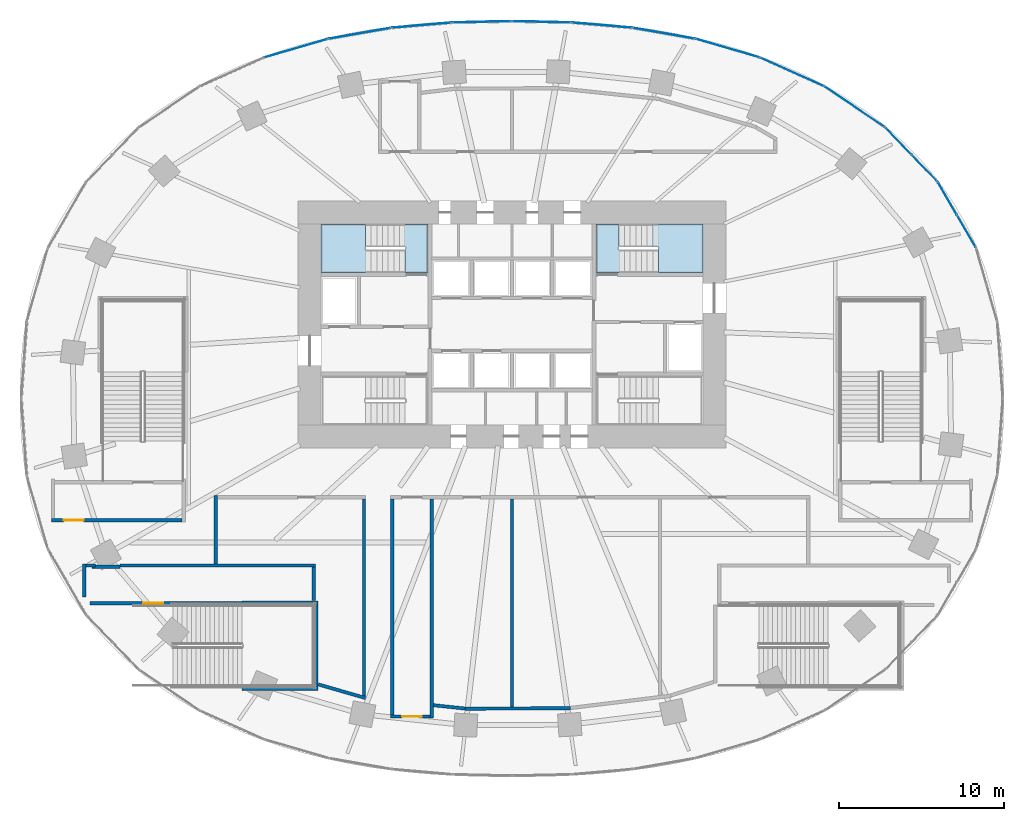
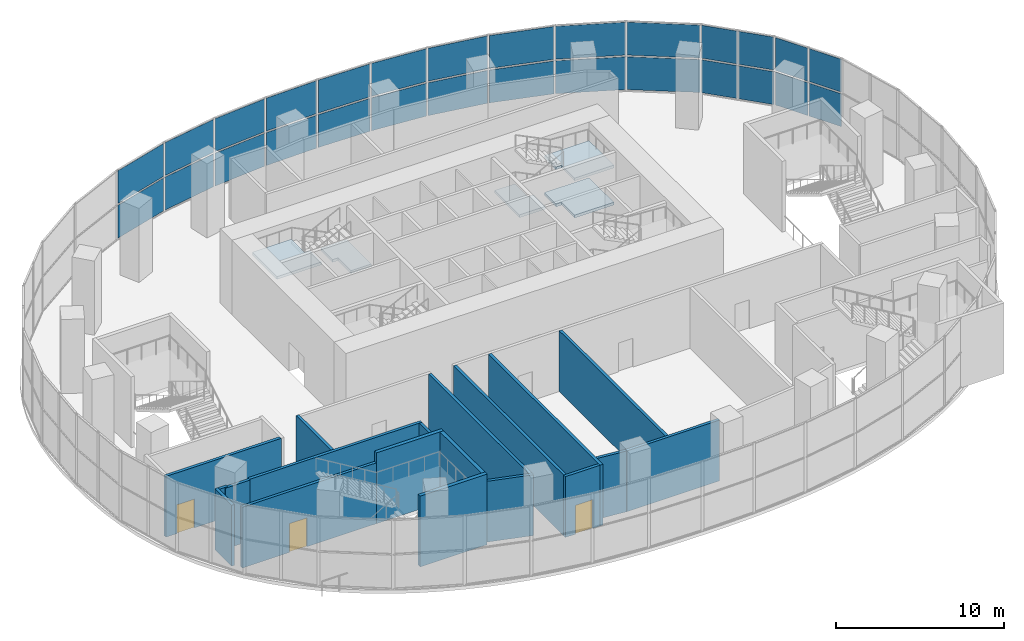
# One storey, part 11 of 20: 28 plates, 19 walls, 5 slabs, 3 doors, 3 openings, 14 elements without a shape of their own.
"""IFC4 building model written with IfcOpenShell, lengths in metres."""

import ifcopenshell
import ifcopenshell.guid

model = None  # the IFC model being written
_history = None  # IfcOwnerHistory: only IFC2X3 demands one
_inside = {}  # id of a spatial element -> (the spatial element, [elements in it])
_under = {}  # id of a project, library or spatial element -> (it, [spatial elements below it])
_declared = {}  # id of a project -> (the project, [libraries it declares])
_typed = {}  # id of a type object -> (the type object, [elements of that type])
_made_of = {}  # id of a material, layer set ... -> (it, [elements and type objects made of it])


def new_model(schema):
    """Start an empty IFC model of exactly this schema.

    Asked for "IFC4X3", IfcOpenShell would pick the latest addendum, in which some entities
    have other attributes; the version numbers below select the first issue.
    IFC2X3 requires an IfcOwnerHistory on every rooted entity: one is made here for all.
    """
    global model, _history
    if schema == "IFC4X3":
        model = ifcopenshell.file(schema_version=(4, 3, 0, 0))
    else:
        model = ifcopenshell.file(schema=schema)
    _inside.clear()
    _under.clear()
    _declared.clear()
    _typed.clear()
    _made_of.clear()
    _history = None
    if model.schema == "IFC2X3":
        org = make("IfcOrganization", Name="unknown")
        user = make(
            "IfcPersonAndOrganization",
            ThePerson=make("IfcPerson", FamilyName="unknown"),
            TheOrganization=org,
        )
        app = make(
            "IfcApplication",
            ApplicationDeveloper=org,
            Version="unknown",
            ApplicationFullName="unknown",
            ApplicationIdentifier="unknown",
        )
        _history = make(
            "IfcOwnerHistory",
            OwningUser=user,
            OwningApplication=app,
            ChangeAction="ADDED",
            CreationDate=0,
        )
    return model


def make(cls, **values):
    """One entity of the class cls with the attributes given. An attribute that is None is left unset."""
    return model.create_entity(
        cls, **{name: value for name, value in values.items() if value is not None}
    )


def rooted(cls, **values):
    """An entity with a GlobalId (a new one), such as an element, a storey or a relation."""
    return make(cls, GlobalId=ifcopenshell.guid.new(), OwnerHistory=_history, **values)


def si_unit(unit_type, name, prefix=None):
    """IfcSIUnit, for example si_unit("LENGTHUNIT", "METRE", prefix="MILLI")."""
    return make("IfcSIUnit", UnitType=unit_type, Prefix=prefix, Name=name)


def assignment(units):
    """IfcUnitAssignment: the units of a project."""
    return None if units is None else make("IfcUnitAssignment", Units=units)


def point(xyz):
    """IfcCartesianPoint."""
    return None if xyz is None else make("IfcCartesianPoint", Coordinates=xyz)


def direction(xyz):
    """IfcDirection."""
    return None if xyz is None else make("IfcDirection", DirectionRatios=xyz)


def frame(location, z_axis=None, x_axis=None):
    """IfcAxis2Placement3D, a coordinate frame: its origin and axes. An axis left out is left unset."""
    return make(
        "IfcAxis2Placement3D",
        Location=point(location),
        Axis=direction(z_axis),
        RefDirection=direction(x_axis),
    )


def frame_2d(location, x_axis=None):
    """IfcAxis2Placement2D, a coordinate frame in the plane: its origin and x axis."""
    return make(
        "IfcAxis2Placement2D", Location=point(location), RefDirection=direction(x_axis)
    )


def origin():
    """The frame at (0, 0, 0) with its axes left unset."""
    return frame((0.0, 0.0, 0.0))


def origin_2d():
    """The frame at (0, 0) in the plane with its x axis left unset."""
    return frame_2d((0.0, 0.0))


def place(relative_to, where):
    """IfcLocalPlacement: puts the frame where relative to a parent placement (None: the world)."""
    return make(
        "IfcLocalPlacement", PlacementRelTo=relative_to, RelativePlacement=where
    )


def context(
    kind, dimensions, precision=None, world=None, true_north=None, identifier=None
):
    """IfcGeometricRepresentationContext, for example the 3D "Model" context."""
    return make(
        "IfcGeometricRepresentationContext",
        ContextIdentifier=identifier,
        ContextType=kind,
        CoordinateSpaceDimension=dimensions,
        Precision=precision,
        WorldCoordinateSystem=world,
        TrueNorth=true_north,
    )


def subcontext(parent, identifier, kind, view, scale=None):
    """IfcGeometricRepresentationSubContext, for example "Body" below "Model"."""
    return make(
        "IfcGeometricRepresentationSubContext",
        ContextIdentifier=identifier,
        ContextType=kind,
        ParentContext=parent,
        TargetScale=scale,
        TargetView=view,
    )


def project(units=None, contexts=None):
    """IfcProject with its units and contexts."""
    return rooted(
        "IfcProject",
        Name="project",
        RepresentationContexts=contexts,
        UnitsInContext=assignment(units),
    )


def spatial(cls, under=None, at=None, **own):
    """A site, building, storey or space (cls), placed at a placement, below another one or the project."""
    s = rooted(cls, ObjectPlacement=at, **own)
    if under is not None:
        _under.setdefault(under.id(), (under, []))[1].append(s)
    return s


def polyline(points):
    """IfcPolyline through the points."""
    return make("IfcPolyline", Points=[point(p) for p in points])


def profile(cls, at=None, kind="AREA", **sizes):
    """A parametric profile (cls). Its sizes go by their IFC names, for example OverallWidth=200.0."""
    return make(cls, ProfileType=kind, Position=at, **sizes)


def rectangle(**sizes):
    """IfcRectangleProfileDef."""
    return profile("IfcRectangleProfileDef", **sizes)


def outline(outer, holes=None, kind="AREA"):
    """IfcArbitraryClosedProfileDef: a profile drawn as a closed curve; with holes, ...WithVoids."""
    if holes is None:
        return make("IfcArbitraryClosedProfileDef", ProfileType=kind, OuterCurve=outer)
    return make(
        "IfcArbitraryProfileDefWithVoids",
        ProfileType=kind,
        OuterCurve=outer,
        InnerCurves=holes,
    )


def extrude(swept, where, along, depth):
    """IfcExtrudedAreaSolid: the profile swept, set in the frame where, extruded along a direction by depth."""
    return make(
        "IfcExtrudedAreaSolid",
        SweptArea=swept,
        Position=where,
        ExtrudedDirection=direction(along),
        Depth=depth,
    )


def shape(context_of_items, identifier, shape_type, items):
    """IfcShapeRepresentation: the items that make up one representation, for example the "Body"."""
    return make(
        "IfcShapeRepresentation",
        ContextOfItems=context_of_items,
        RepresentationIdentifier=identifier,
        RepresentationType=shape_type,
        Items=items,
    )


def material(Name=None, Category=None):
    """IfcMaterial."""
    return make("IfcMaterial", Name=Name, Category=Category)


def layer(
    of_material, thickness, ventilated=None, Name=None, Category=None, Priority=None
):
    """IfcMaterialLayer: one layer of a wall or slab, of a material (None: an air gap)."""
    return make(
        "IfcMaterialLayer",
        Material=of_material,
        LayerThickness=thickness,
        IsVentilated=ventilated,
        Name=Name,
        Category=Category,
        Priority=Priority,
    )


def layer_set(layers, Name=None):
    """IfcMaterialLayerSet."""
    return make("IfcMaterialLayerSet", MaterialLayers=layers, LayerSetName=Name)


def made_of(thing, what):
    """Note that an element or type object is made of a material, layer set ...; save() writes the relation."""
    if what is not None:
        _made_of.setdefault(what.id(), (what, []))[1].append(thing)
    return thing


def type_object(cls, material=None, **own):
    """A type object (cls), such as IfcWallType, which elements share."""
    return made_of(rooted(cls, **own), material)


def element(
    cls,
    number,
    at=None,
    inside=None,
    cuts=None,
    type_object=None,
    material=None,
    context=None,
    identifier="Body",
    shape_type=None,
    held_by="IfcProductDefinitionShape",
    body=None,
    shapes=None,
    **own,
):
    """One element of the class cls, such as IfcWall. Its Tag is "e" and its number.

    at: its placement. inside: the storey or other place that contains it. cuts: it is an
    opening in that element (IfcRelVoidsElement). A single representation is given by context,
    identifier, shape_type and body (its items); several are given by shapes. held_by: the class
    of the entity that holds the representations. save() writes the other relations.
    """
    e = rooted(cls, Tag="e%d" % number, ObjectPlacement=at, **own)
    if body is not None:
        shapes = [shape(context, identifier, shape_type, body)]
    if shapes is not None:
        e.Representation = make(held_by, Representations=shapes)
    if inside is not None:
        _inside.setdefault(inside.id(), (inside, []))[1].append(e)
    if cuts is not None:
        rooted(
            "IfcRelVoidsElement", RelatingBuildingElement=cuts, RelatedOpeningElement=e
        )
    if type_object is not None:
        _typed.setdefault(type_object.id(), (type_object, []))[1].append(e)
    return made_of(e, material)


def fill(opening, filler):
    """IfcRelFillsElement: the door or window that sits in an opening."""
    return rooted(
        "IfcRelFillsElement",
        RelatingOpeningElement=opening,
        RelatedBuildingElement=filler,
    )


def aggregate(whole, parts):
    """IfcRelAggregates: a whole, such as a stair, and the parts it consists of."""
    return rooted("IfcRelAggregates", RelatingObject=whole, RelatedObjects=parts)


def save(model, path):
    """Write the relations noted so far, then the file.

    IfcRelAggregates (storeys below a building ...), IfcRelContainedInSpatialStructure (elements
    in a storey), IfcRelDefinesByType, IfcRelAssociatesMaterial and IfcRelDeclares: one each for
    every whole, place, type object, material and project.
    """
    for whole, parts in _under.values():
        aggregate(whole, parts)
    for where, things in _inside.values():
        rooted(
            "IfcRelContainedInSpatialStructure",
            RelatedElements=things,
            RelatingStructure=where,
        )
    for kind, things in _typed.values():
        rooted("IfcRelDefinesByType", RelatedObjects=things, RelatingType=kind)
    for what, things in _made_of.values():
        rooted("IfcRelAssociatesMaterial", RelatedObjects=things, RelatingMaterial=what)
    for by, libraries in _declared.values():
        rooted("IfcRelDeclares", RelatingContext=by, RelatedDefinitions=libraries)
    model.write(path)


model = new_model("IFC4")

# Units and contexts
model_context = context("Model", 3, precision=1e-05, world=origin(), true_north=direction((0.0, 1.0)))
body_context = subcontext(model_context, "Body", "Model", "MODEL_VIEW")
ifc_project = project(units=[si_unit("LENGTHUNIT", "METRE"), si_unit("AREAUNIT", "SQUARE_METRE"), si_unit("VOLUMEUNIT", "CUBIC_METRE"), si_unit("PLANEANGLEUNIT", "RADIAN"), si_unit("MASSUNIT", "GRAM", prefix="KILO")], contexts=[model_context])

# Site, building, storey
site_placement = place(None, origin())
site = spatial("IfcSite", under=ifc_project, at=site_placement, CompositionType="ELEMENT")
building_placement = place(site_placement, origin())
building = spatial("IfcBuilding", under=site, at=building_placement, Name="Rubra Terraces Tower", CompositionType="ELEMENT")
storey_placement = place(building_placement, frame((0.0, 0.0, 22.800048828125)))
storey = spatial("IfcBuildingStorey", under=building, at=storey_placement, Name="L03", CompositionType="ELEMENT", Elevation=22.800048828125)

# Stair, slabs
ifc_material_1 = material(Name="Concrete C40", Category="concrete")
stair_type = type_object("IfcStairType", Name="Core stair 1400", PredefinedType="HALF_TURN_STAIR", material=ifc_material_1)
stair_1_placement = place(storey_placement, origin())
stair_1 = element("IfcStair", 1, at=stair_1_placement, inside=storey, type_object=stair_type, Name="L03 Exit stair S2", PredefinedType="HALF_TURN_STAIR")
ifc_layer_1 = layer(ifc_material_1, 0.199951171875)
ifc_layer_set_1 = layer_set([ifc_layer_1], Name="Concrete C40")
slab_type = type_object("IfcSlabType", Name="Core stair landing 200", PredefinedType="LANDING", material=ifc_layer_set_1)
slab_1_placement = place(storey_placement, frame((0.0, 0.0, 2.5)))
slab_1 = element("IfcSlab", 2, at=slab_1_placement, type_object=slab_type, Name="S2 landing 2", PredefinedType="LANDING", context=body_context, shape_type="SweptSolid", body=[
    extrude(outline(polyline([(-6.5, 9.050048828125), (-6.5, 9.199951171875), (-6.8798828125, 9.199951171875), (-6.8798828125, 10.60009765625), (-6.5, 10.60009765625), (-6.47998046875, 10.60009765625), (-5.10009765625, 10.60009765625), (-5.10009765625, 7.64990234375), (-6.47998046875, 7.64990234375), (-6.501953125, 7.64990234375), (-6.501953125, 9.050048828125), (-6.5, 9.050048828125)])), origin(), (0.0, 0.0, 1.0), 0.199951171875),
])
slab_2_placement = place(storey_placement, frame((0.0, 0.0, 3.849853515625)))
slab_2 = element("IfcSlab", 3, at=slab_2_placement, type_object=slab_type, Name="S2 landing 3", PredefinedType="LANDING", context=body_context, shape_type="SweptSolid", body=[
    extrude(outline(polyline([(-8.52001953125, 9.050048828125), (-8.52001953125, 7.64990234375), (-8.919921875, 7.64990234375), (-11.60009765625, 7.64990234375), (-11.60009765625, 10.60009765625), (-8.919921875, 10.60009765625), (-8.89990234375, 10.60009765625), (-8.89794921875, 10.60009765625), (-8.89794921875, 9.199951171875), (-8.89990234375, 9.199951171875), (-8.89990234375, 9.050048828125), (-8.52001953125, 9.050048828125)])), origin(), (0.0, 0.0, 1.0), 0.2001953125),
])
aggregate(stair_1, [slab_1, slab_2])

stair_2_placement = place(storey_placement, origin())
stair_2 = element("IfcStair", 4, at=stair_2_placement, inside=storey, type_object=stair_type, Name="L03 Exit stair S3", PredefinedType="HALF_TURN_STAIR")
slab_3_placement = place(storey_placement, frame((0.0, 0.0, 1.14990234375)))
slab_3 = element("IfcSlab", 5, at=slab_3_placement, type_object=slab_type, Name="S3 landing 1", PredefinedType="LANDING", context=body_context, shape_type="SweptSolid", body=[
    extrude(outline(polyline([(8.89990234375, 9.050048828125), (8.89990234375, 9.199951171875), (8.52001953125, 9.199951171875), (8.52001953125, 10.60009765625), (8.89990234375, 10.60009765625), (8.919921875, 10.60009765625), (11.60009765625, 10.60009765625), (11.60009765625, 7.64990234375), (8.919921875, 7.64990234375), (8.89794921875, 7.64990234375), (8.89794921875, 9.050048828125), (8.89990234375, 9.050048828125)])), origin(), (0.0, 0.0, 1.0), 0.199951171875),
])
slab_4_placement = place(storey_placement, frame((0.0, 0.0, 2.5)))
slab_4 = element("IfcSlab", 6, at=slab_4_placement, type_object=slab_type, Name="S3 landing 2", PredefinedType="LANDING", context=body_context, shape_type="SweptSolid", body=[
    extrude(outline(polyline([(6.8798828125, 9.050048828125), (6.8798828125, 7.64990234375), (6.47998046875, 7.64990234375), (5.10009765625, 7.64990234375), (5.10009765625, 10.60009765625), (6.47998046875, 10.60009765625), (6.5, 10.60009765625), (6.501953125, 10.60009765625), (6.501953125, 9.199951171875), (6.5, 9.199951171875), (6.5, 9.050048828125), (6.8798828125, 9.050048828125)])), origin(), (0.0, 0.0, 1.0), 0.199951171875),
])
slab_5_placement = place(storey_placement, frame((0.0, 0.0, 3.849853515625)))
slab_5 = element("IfcSlab", 7, at=slab_5_placement, type_object=slab_type, Name="S3 landing 3", PredefinedType="LANDING", context=body_context, shape_type="SweptSolid", body=[
    extrude(outline(polyline([(8.89990234375, 9.050048828125), (8.89990234375, 9.199951171875), (8.52001953125, 9.199951171875), (8.52001953125, 10.60009765625), (8.89990234375, 10.60009765625), (8.919921875, 10.60009765625), (11.60009765625, 10.60009765625), (11.60009765625, 7.64990234375), (8.919921875, 7.64990234375), (8.89794921875, 7.64990234375), (8.89794921875, 9.050048828125), (8.89990234375, 9.050048828125)])), origin(), (0.0, 0.0, 1.0), 0.2001953125),
])
aggregate(stair_2, [slab_3, slab_4, slab_5])

# Curtain wall, plates
ifc_material_2 = material(Name="Aluminium and glass", Category="aluminium")
curtain_wall_type = type_object("IfcCurtainWallType", Name="Curtain wall Podium glazing", PredefinedType="NOTDEFINED", material=ifc_material_2)
curtain_wall_1_placement = place(storey_placement, origin())
curtain_wall_1 = element("IfcCurtainWall", 8, at=curtain_wall_1_placement, inside=storey, type_object=curtain_wall_type, Name="L03 glazing bay 3", PredefinedType="NOTDEFINED")
ifc_material_3 = material(Name="Clear glass, laminated", Category="glass")
ifc_layer_2 = layer(ifc_material_3, 0.028076171875)
ifc_layer_set_2 = layer_set([ifc_layer_2], Name="Clear glass, laminated")
plate_type = type_object("IfcPlateType", Name="Podium glazing glass panel 28", PredefinedType="CURTAIN_PANEL", material=ifc_layer_set_2)
plate_1_placement = place(storey_placement, frame((27.611083984375, 10.1669921875, 0.119873046875), z_axis=(0.0, 0.0, 1.0), x_axis=(-0.502094070187, 0.864813011398, 0.0)))
plate_1 = element("IfcPlate", 9, at=plate_1_placement, type_object=plate_type, Name="CW1 panel 1.1", PredefinedType="CURTAIN_PANEL", context=body_context, shape_type="SweptSolid", body=[
    extrude(rectangle(XDim=2.23828125, YDim=0.028076171875, at=origin_2d()), origin(), (0.0, 0.0, 1.0), 2.39501953125),
])
plate_2_placement = place(storey_placement, frame((27.611083984375, 10.1669921875, 2.635009765625), z_axis=(0.0, 0.0, 1.0), x_axis=(-0.502094070187, 0.864813011398, 0.0)))
plate_2 = element("IfcPlate", 10, at=plate_2_placement, type_object=plate_type, Name="CW1 panel 1.2", PredefinedType="CURTAIN_PANEL", context=body_context, shape_type="SweptSolid", body=[
    extrude(rectangle(XDim=2.23828125, YDim=0.028076171875, at=origin_2d()), origin(), (0.0, 0.0, 1.0), 2.39501953125),
])
plate_3_placement = place(storey_placement, frame((26.45703125, 12.154541015625, 0.119873046875), z_axis=(0.0, 0.0, 1.0), x_axis=(-0.502094070187, 0.864813011398, 0.0)))
plate_3 = element("IfcPlate", 11, at=plate_3_placement, type_object=plate_type, Name="CW1 panel 2.1", PredefinedType="CURTAIN_PANEL", context=body_context, shape_type="SweptSolid", body=[
    extrude(rectangle(XDim=2.23828125, YDim=0.028076171875, at=origin_2d()), origin(), (0.0, 0.0, 1.0), 2.39501953125),
])
plate_4_placement = place(storey_placement, frame((26.45703125, 12.154541015625, 2.635009765625), z_axis=(0.0, 0.0, 1.0), x_axis=(-0.502094070187, 0.864813011398, 0.0)))
plate_4 = element("IfcPlate", 12, at=plate_4_placement, type_object=plate_type, Name="CW1 panel 2.2", PredefinedType="CURTAIN_PANEL", context=body_context, shape_type="SweptSolid", body=[
    extrude(rectangle(XDim=2.23828125, YDim=0.028076171875, at=origin_2d()), origin(), (0.0, 0.0, 1.0), 2.39501953125),
])
aggregate(curtain_wall_1, [plate_1, plate_2, plate_3, plate_4])

curtain_wall_2_placement = place(storey_placement, origin())
curtain_wall_2 = element("IfcCurtainWall", 13, at=curtain_wall_2_placement, inside=storey, type_object=curtain_wall_type, Name="L03 glazing bay 4", PredefinedType="NOTDEFINED")
plate_5_placement = place(storey_placement, frame((25.06787109375, 13.998046875, 0.119873046875), z_axis=(0.0, 0.0, 1.0), x_axis=(-0.69415569917, 0.71982488517, 0.0)))
plate_5 = element("IfcPlate", 14, at=plate_5_placement, type_object=plate_type, Name="CW1 panel 1.1", PredefinedType="CURTAIN_PANEL", context=body_context, shape_type="SweptSolid", body=[
    extrude(rectangle(XDim=2.20849609375, YDim=0.028076171875, at=origin_2d()), origin(), (0.0, 0.0, 1.0), 2.39501953125),
])
plate_6_placement = place(storey_placement, frame((25.06787109375, 13.998046875, 2.635009765625), z_axis=(0.0, 0.0, 1.0), x_axis=(-0.69415569917, 0.71982488517, 0.0)))
plate_6 = element("IfcPlate", 15, at=plate_6_placement, type_object=plate_type, Name="CW1 panel 1.2", PredefinedType="CURTAIN_PANEL", context=body_context, shape_type="SweptSolid", body=[
    extrude(rectangle(XDim=2.20849609375, YDim=0.028076171875, at=origin_2d()), origin(), (0.0, 0.0, 1.0), 2.39501953125),
])
plate_7_placement = place(storey_placement, frame((23.4931640625, 15.630859375, 0.119873046875), z_axis=(0.0, 0.0, 1.0), x_axis=(-0.69415569917, 0.71982488517, 0.0)))
plate_7 = element("IfcPlate", 16, at=plate_7_placement, type_object=plate_type, Name="CW1 panel 2.1", PredefinedType="CURTAIN_PANEL", context=body_context, shape_type="SweptSolid", body=[
    extrude(rectangle(XDim=2.20849609375, YDim=0.028076171875, at=origin_2d()), origin(), (0.0, 0.0, 1.0), 2.39501953125),
])
plate_8_placement = place(storey_placement, frame((23.4931640625, 15.630859375, 2.635009765625), z_axis=(0.0, 0.0, 1.0), x_axis=(-0.69415569917, 0.71982488517, 0.0)))
plate_8 = element("IfcPlate", 17, at=plate_8_placement, type_object=plate_type, Name="CW1 panel 2.2", PredefinedType="CURTAIN_PANEL", context=body_context, shape_type="SweptSolid", body=[
    extrude(rectangle(XDim=2.20849609375, YDim=0.028076171875, at=origin_2d()), origin(), (0.0, 0.0, 1.0), 2.39501953125),
])
aggregate(curtain_wall_2, [plate_5, plate_6, plate_7, plate_8])

curtain_wall_3_placement = place(storey_placement, origin())
curtain_wall_3 = element("IfcCurtainWall", 18, at=curtain_wall_3_placement, inside=storey, type_object=curtain_wall_type, Name="L03 glazing bay 5", PredefinedType="NOTDEFINED")
plate_9_placement = place(storey_placement, frame((20.840576171875, 17.711181640625, 0.119873046875), z_axis=(0.0, 0.0, 1.0), x_axis=(-0.828980654031, 0.55927727939, 0.0)))
plate_9 = element("IfcPlate", 19, at=plate_9_placement, type_object=plate_type, Name="CW1 panel 1.1", PredefinedType="CURTAIN_PANEL", context=body_context, shape_type="SweptSolid", body=[
    extrude(rectangle(XDim=4.35888671875, YDim=0.028076171875, at=origin_2d()), origin(), (0.0, 0.0, 1.0), 2.39501953125),
])
plate_10_placement = place(storey_placement, frame((20.840576171875, 17.711181640625, 2.635009765625), z_axis=(0.0, 0.0, 1.0), x_axis=(-0.828980654031, 0.55927727939, 0.0)))
plate_10 = element("IfcPlate", 20, at=plate_10_placement, type_object=plate_type, Name="CW1 panel 1.2", PredefinedType="CURTAIN_PANEL", context=body_context, shape_type="SweptSolid", body=[
    extrude(rectangle(XDim=4.35888671875, YDim=0.028076171875, at=origin_2d()), origin(), (0.0, 0.0, 1.0), 2.39501953125),
])
aggregate(curtain_wall_3, [plate_9, plate_10])

curtain_wall_4_placement = place(storey_placement, origin())
curtain_wall_4 = element("IfcCurtainWall", 21, at=curtain_wall_4_placement, inside=storey, type_object=curtain_wall_type, Name="L03 glazing bay 6", PredefinedType="NOTDEFINED")
plate_11_placement = place(storey_placement, frame((17.03271484375, 19.837158203125, 0.119873046875), z_axis=(0.0, 0.0, 1.0), x_axis=(-0.912551215254, 0.4089624427, 0.0)))
plate_11 = element("IfcPlate", 22, at=plate_11_placement, type_object=plate_type, Name="CW1 panel 1.1", PredefinedType="CURTAIN_PANEL", context=body_context, shape_type="SweptSolid", body=[
    extrude(rectangle(XDim=4.18115234375, YDim=0.028076171875, at=origin_2d()), origin(), (0.0, 0.0, 1.0), 2.39501953125),
])
plate_12_placement = place(storey_placement, frame((17.03271484375, 19.837158203125, 2.635009765625), z_axis=(0.0, 0.0, 1.0), x_axis=(-0.912551215254, 0.4089624427, 0.0)))
plate_12 = element("IfcPlate", 23, at=plate_12_placement, type_object=plate_type, Name="CW1 panel 1.2", PredefinedType="CURTAIN_PANEL", context=body_context, shape_type="SweptSolid", body=[
    extrude(rectangle(XDim=4.18115234375, YDim=0.028076171875, at=origin_2d()), origin(), (0.0, 0.0, 1.0), 2.39501953125),
])
aggregate(curtain_wall_4, [plate_11, plate_12])

curtain_wall_5_placement = place(storey_placement, origin())
curtain_wall_5 = element("IfcCurtainWall", 24, at=curtain_wall_5_placement, inside=storey, type_object=curtain_wall_type, Name="L03 glazing bay 7", PredefinedType="NOTDEFINED")
plate_13_placement = place(storey_placement, frame((13.115966796875, 21.284423828125, 0.119873046875), z_axis=(0.0, 0.0, 1.0), x_axis=(-0.96017502931, 0.279399200229, 0.0)))
plate_13 = element("IfcPlate", 25, at=plate_13_placement, type_object=plate_type, Name="CW1 panel 1.1", PredefinedType="CURTAIN_PANEL", context=body_context, shape_type="SweptSolid", body=[
    extrude(rectangle(XDim=3.970947265625, YDim=0.028076171875, at=origin_2d()), origin(), (0.0, 0.0, 1.0), 2.39501953125),
])
plate_14_placement = place(storey_placement, frame((13.115966796875, 21.284423828125, 2.635009765625), z_axis=(0.0, 0.0, 1.0), x_axis=(-0.96017502931, 0.279399200229, 0.0)))
plate_14 = element("IfcPlate", 26, at=plate_14_placement, type_object=plate_type, Name="CW1 panel 1.2", PredefinedType="CURTAIN_PANEL", context=body_context, shape_type="SweptSolid", body=[
    extrude(rectangle(XDim=3.970947265625, YDim=0.028076171875, at=origin_2d()), origin(), (0.0, 0.0, 1.0), 2.39501953125),
])
aggregate(curtain_wall_5, [plate_13, plate_14])

curtain_wall_6_placement = place(storey_placement, origin())
curtain_wall_6 = element("IfcCurtainWall", 27, at=curtain_wall_6_placement, inside=storey, type_object=curtain_wall_type, Name="L03 glazing bay 8", PredefinedType="NOTDEFINED")
plate_15_placement = place(storey_placement, frame((9.2451171875, 22.190185546875, 0.119873046875), z_axis=(0.0, 0.0, 1.0), x_axis=(-0.984953952909, 0.172816985997, 0.0)))
plate_15 = element("IfcPlate", 28, at=plate_15_placement, type_object=plate_type, Name="CW1 panel 1.1", PredefinedType="CURTAIN_PANEL", context=body_context, shape_type="SweptSolid", body=[
    extrude(rectangle(XDim=3.7685546875, YDim=0.028076171875, at=origin_2d()), origin(), (0.0, 0.0, 1.0), 2.39501953125),
])
plate_16_placement = place(storey_placement, frame((9.2451171875, 22.190185546875, 2.635009765625), z_axis=(0.0, 0.0, 1.0), x_axis=(-0.984953952909, 0.172816985997, 0.0)))
plate_16 = element("IfcPlate", 29, at=plate_16_placement, type_object=plate_type, Name="CW1 panel 1.2", PredefinedType="CURTAIN_PANEL", context=body_context, shape_type="SweptSolid", body=[
    extrude(rectangle(XDim=3.7685546875, YDim=0.028076171875, at=origin_2d()), origin(), (0.0, 0.0, 1.0), 2.39501953125),
])
aggregate(curtain_wall_6, [plate_15, plate_16])

curtain_wall_7_placement = place(storey_placement, origin())
curtain_wall_7 = element("IfcCurtainWall", 30, at=curtain_wall_7_placement, inside=storey, type_object=curtain_wall_type, Name="L03 glazing bay 9", PredefinedType="NOTDEFINED")
plate_17_placement = place(storey_placement, frame((5.47998046875, 22.686279296875, 0.119873046875), z_axis=(0.0, 0.0, 1.0), x_axis=(-0.996260697637, 0.08639804595, 0.0)))
plate_17 = element("IfcPlate", 31, at=plate_17_placement, type_object=plate_type, Name="CW1 panel 1.1", PredefinedType="CURTAIN_PANEL", context=body_context, shape_type="SweptSolid", body=[
    extrude(rectangle(XDim=3.60693359375, YDim=0.028076171875, at=origin_2d()), origin(), (0.0, 0.0, 1.0), 2.39501953125),
])
plate_18_placement = place(storey_placement, frame((5.47998046875, 22.686279296875, 2.635009765625), z_axis=(0.0, 0.0, 1.0), x_axis=(-0.996260697637, 0.08639804595, 0.0)))
plate_18 = element("IfcPlate", 32, at=plate_18_placement, type_object=plate_type, Name="CW1 panel 1.2", PredefinedType="CURTAIN_PANEL", context=body_context, shape_type="SweptSolid", body=[
    extrude(rectangle(XDim=3.60693359375, YDim=0.028076171875, at=origin_2d()), origin(), (0.0, 0.0, 1.0), 2.39501953125),
])
aggregate(curtain_wall_7, [plate_17, plate_18])

curtain_wall_8_placement = place(storey_placement, origin())
curtain_wall_8 = element("IfcCurtainWall", 33, at=curtain_wall_8_placement, inside=storey, type_object=curtain_wall_type, Name="L03 glazing bay 10", PredefinedType="NOTDEFINED")
plate_19_placement = place(storey_placement, frame((1.8134765625, 22.885986328125, 0.119873046875), z_axis=(0.0, 0.0, 1.0), x_axis=(-0.999769221365, 0.021482644428, 0.0)))
plate_19 = element("IfcPlate", 34, at=plate_19_placement, type_object=plate_type, Name="CW1 panel 1.1", PredefinedType="CURTAIN_PANEL", context=body_context, shape_type="SweptSolid", body=[
    extrude(rectangle(XDim=3.5107421875, YDim=0.028076171875, at=origin_2d()), origin(), (0.0, 0.0, 1.0), 2.39501953125),
])
plate_20_placement = place(storey_placement, frame((1.8134765625, 22.885986328125, 2.635009765625), z_axis=(0.0, 0.0, 1.0), x_axis=(-0.999769221365, 0.021482644428, 0.0)))
plate_20 = element("IfcPlate", 35, at=plate_20_placement, type_object=plate_type, Name="CW1 panel 1.2", PredefinedType="CURTAIN_PANEL", context=body_context, shape_type="SweptSolid", body=[
    extrude(rectangle(XDim=3.5107421875, YDim=0.028076171875, at=origin_2d()), origin(), (0.0, 0.0, 1.0), 2.39501953125),
])
aggregate(curtain_wall_8, [plate_19, plate_20])

curtain_wall_9_placement = place(storey_placement, origin())
curtain_wall_9 = element("IfcCurtainWall", 36, at=curtain_wall_9_placement, inside=storey, type_object=curtain_wall_type, Name="L03 glazing bay 11", PredefinedType="NOTDEFINED")
plate_21_placement = place(storey_placement, frame((-1.8134765625, 22.885986328125, 0.119873046875), z_axis=(0.0, 0.0, 1.0), x_axis=(-0.999769221365, -0.021482644428, 0.0)))
plate_21 = element("IfcPlate", 37, at=plate_21_placement, type_object=plate_type, Name="CW1 panel 1.1", PredefinedType="CURTAIN_PANEL", context=body_context, shape_type="SweptSolid", body=[
    extrude(rectangle(XDim=3.5107421875, YDim=0.028076171875, at=origin_2d()), origin(), (0.0, 0.0, 1.0), 2.39501953125),
])
plate_22_placement = place(storey_placement, frame((-1.8134765625, 22.885986328125, 2.635009765625), z_axis=(0.0, 0.0, 1.0), x_axis=(-0.999769221365, -0.021482644428, 0.0)))
plate_22 = element("IfcPlate", 38, at=plate_22_placement, type_object=plate_type, Name="CW1 panel 1.2", PredefinedType="CURTAIN_PANEL", context=body_context, shape_type="SweptSolid", body=[
    extrude(rectangle(XDim=3.5107421875, YDim=0.028076171875, at=origin_2d()), origin(), (0.0, 0.0, 1.0), 2.39501953125),
])
aggregate(curtain_wall_9, [plate_21, plate_22])

curtain_wall_10_placement = place(storey_placement, origin())
curtain_wall_10 = element("IfcCurtainWall", 39, at=curtain_wall_10_placement, inside=storey, type_object=curtain_wall_type, Name="L03 glazing bay 12", PredefinedType="NOTDEFINED")
plate_23_placement = place(storey_placement, frame((-5.47998046875, 22.686279296875, 0.119873046875), z_axis=(0.0, 0.0, 1.0), x_axis=(-0.996260697637, -0.08639804595, 0.0)))
plate_23 = element("IfcPlate", 40, at=plate_23_placement, type_object=plate_type, Name="CW1 panel 1.1", PredefinedType="CURTAIN_PANEL", context=body_context, shape_type="SweptSolid", body=[
    extrude(rectangle(XDim=3.60693359375, YDim=0.028076171875, at=origin_2d()), origin(), (0.0, 0.0, 1.0), 2.39501953125),
])
plate_24_placement = place(storey_placement, frame((-5.47998046875, 22.686279296875, 2.635009765625), z_axis=(0.0, 0.0, 1.0), x_axis=(-0.996260697637, -0.08639804595, 0.0)))
plate_24 = element("IfcPlate", 41, at=plate_24_placement, type_object=plate_type, Name="CW1 panel 1.2", PredefinedType="CURTAIN_PANEL", context=body_context, shape_type="SweptSolid", body=[
    extrude(rectangle(XDim=3.60693359375, YDim=0.028076171875, at=origin_2d()), origin(), (0.0, 0.0, 1.0), 2.39501953125),
])
aggregate(curtain_wall_10, [plate_23, plate_24])

curtain_wall_11_placement = place(storey_placement, origin())
curtain_wall_11 = element("IfcCurtainWall", 42, at=curtain_wall_11_placement, inside=storey, type_object=curtain_wall_type, Name="L03 glazing bay 13", PredefinedType="NOTDEFINED")
plate_25_placement = place(storey_placement, frame((-9.2451171875, 22.190185546875, 0.119873046875), z_axis=(0.0, 0.0, 1.0), x_axis=(-0.984953952909, -0.172816985997, 0.0)))
plate_25 = element("IfcPlate", 43, at=plate_25_placement, type_object=plate_type, Name="CW1 panel 1.1", PredefinedType="CURTAIN_PANEL", context=body_context, shape_type="SweptSolid", body=[
    extrude(rectangle(XDim=3.7685546875, YDim=0.028076171875, at=origin_2d()), origin(), (0.0, 0.0, 1.0), 2.39501953125),
])
plate_26_placement = place(storey_placement, frame((-9.2451171875, 22.190185546875, 2.635009765625), z_axis=(0.0, 0.0, 1.0), x_axis=(-0.984953952909, -0.172816985997, 0.0)))
plate_26 = element("IfcPlate", 44, at=plate_26_placement, type_object=plate_type, Name="CW1 panel 1.2", PredefinedType="CURTAIN_PANEL", context=body_context, shape_type="SweptSolid", body=[
    extrude(rectangle(XDim=3.7685546875, YDim=0.028076171875, at=origin_2d()), origin(), (0.0, 0.0, 1.0), 2.39501953125),
])
aggregate(curtain_wall_11, [plate_25, plate_26])

curtain_wall_12_placement = place(storey_placement, origin())
curtain_wall_12 = element("IfcCurtainWall", 45, at=curtain_wall_12_placement, inside=storey, type_object=curtain_wall_type, Name="L03 glazing bay 14", PredefinedType="NOTDEFINED")
plate_27_placement = place(storey_placement, frame((-13.115966796875, 21.284423828125, 0.119873046875), z_axis=(0.0, 0.0, 1.0), x_axis=(-0.96017502931, -0.279399200229, 0.0)))
plate_27 = element("IfcPlate", 46, at=plate_27_placement, type_object=plate_type, Name="CW1 panel 1.1", PredefinedType="CURTAIN_PANEL", context=body_context, shape_type="SweptSolid", body=[
    extrude(rectangle(XDim=3.970947265625, YDim=0.028076171875, at=origin_2d()), origin(), (0.0, 0.0, 1.0), 2.39501953125),
])
plate_28_placement = place(storey_placement, frame((-13.115966796875, 21.284423828125, 2.635009765625), z_axis=(0.0, 0.0, 1.0), x_axis=(-0.96017502931, -0.279399200229, 0.0)))
plate_28 = element("IfcPlate", 47, at=plate_28_placement, type_object=plate_type, Name="CW1 panel 1.2", PredefinedType="CURTAIN_PANEL", context=body_context, shape_type="SweptSolid", body=[
    extrude(rectangle(XDim=3.970947265625, YDim=0.028076171875, at=origin_2d()), origin(), (0.0, 0.0, 1.0), 2.39501953125),
])
aggregate(curtain_wall_12, [plate_27, plate_28])

# Wall, opening, door
ifc_material_4 = material(Name="Blockwork", Category="masonry")
ifc_layer_3 = layer(ifc_material_4, 0.199951171875)
ifc_layer_set_3 = layer_set([ifc_layer_3], Name="Blockwork")
wall_type_1 = type_object("IfcWallType", Name="Corridor partition 200 blockwork", PredefinedType="PARTITIONING", material=ifc_layer_set_3)
wall_1_placement = place(storey_placement, frame((-20.050048828125, -7.39990234375, 0.0), z_axis=(0.0, 0.0, 1.0), x_axis=(-1.0, 0.0, 0.0)))
wall_1 = element("IfcWall", 48, at=wall_1_placement, inside=storey, type_object=wall_type_1, Name="Partition wall", PredefinedType="PARTITIONING", context=body_context, shape_type="SweptSolid", body=[
    extrude(rectangle(XDim=7.949951171875, YDim=0.199951171875, at=frame_2d((3.97509765625, 0.0))), origin(), (0.0, 0.0, 1.0), 4.429931640625),
])
opening_1_placement = place(wall_1_placement, frame((5.97607421875, 0.0, 0.0)))
opening_1 = element("IfcOpeningElement", 49, at=opening_1_placement, cuts=wall_1, Name="Opening DB7", PredefinedType="OPENING", context=body_context, shape_type="SweptSolid", body=[
    extrude(rectangle(XDim=1.199951171875, YDim=2.10009765625, at=frame_2d((0.60009765625, 1.050048828125))), frame((0.0, 0.10986328125, 0.0), z_axis=(0.0, -1.0, 0.0), x_axis=(1.0, 0.0, 0.0)), (0.0, 0.0, 1.0), 0.219970703125),
])
ifc_material_5 = material(Name="Painted timber", Category="wood")
door_type = type_object("IfcDoorType", Name="Door 1200x2100 single", OperationType="NOTDEFINED", PredefinedType="DOOR", material=ifc_material_5)
door_1_placement = place(opening_1_placement, origin())
door_1 = element("IfcDoor", 50, at=door_1_placement, inside=storey, type_object=door_type, Name="Door L03-06", OperationType="SINGLE_SWING_LEFT", OverallHeight=2.10009765625, OverallWidth=1.199951171875, PredefinedType="DOOR", context=body_context, shape_type="SweptSolid", body=[
    extrude(rectangle(XDim=1.199951171875, YDim=2.10009765625, at=frame_2d((0.60009765625, 1.050048828125))), frame((0.0, 0.02490234375, 0.0), z_axis=(0.0, -1.0, 0.0), x_axis=(1.0, 0.0, 0.0)), (0.0, 0.0, 1.0), 0.050048828125),
])
fill(opening_1, door_1)

# Walls
wall_2_placement = place(storey_placement, frame((-25.52587890625, -10.23291015625, 0.0), z_axis=(0.0, 0.0, 1.0), x_axis=(1.0, 0.0, 0.0)))
element("IfcWall", 51, at=wall_2_placement, inside=storey, type_object=wall_type_1, Name="Partition wall", PredefinedType="PARTITIONING", context=body_context, shape_type="SweptSolid", body=[
    extrude(rectangle(XDim=1.699951171875, YDim=0.199951171875, at=frame_2d((0.85009765625, 0.0))), origin(), (0.0, 0.0, 1.0), 4.429931640625),
])
wall_3_placement = place(storey_placement, frame((-23.825927734375, -10.14990234375, 0.0), z_axis=(0.0, 0.0, 1.0), x_axis=(1.0, 0.0, 0.0)))
element("IfcWall", 52, at=wall_3_placement, inside=storey, type_object=wall_type_1, Name="Partition wall", PredefinedType="PARTITIONING", context=body_context, shape_type="SweptSolid", body=[
    extrude(rectangle(XDim=11.885986328125, YDim=0.199951171875, at=frame_2d((5.94287109375, 0.0))), origin(), (0.0, 0.0, 1.0), 4.429931640625),
])
wall_4_placement = place(storey_placement, frame((-12.0400390625, -10.25, 0.0), z_axis=(0.0, 0.0, 1.0), x_axis=(0.0, -1.0, 0.0)))
element("IfcWall", 53, at=wall_4_placement, inside=storey, type_object=wall_type_1, Name="Partition wall", PredefinedType="PARTITIONING", context=body_context, shape_type="SweptSolid", body=[
    extrude(rectangle(XDim=2.030029296875, YDim=0.199951171875, at=frame_2d((1.01513671875, 0.0))), origin(), (0.0, 0.0, 1.0), 4.429931640625),
])

# Wall, opening, door
wall_5_placement = place(storey_placement, frame((-16.419921875, -12.449951171875, 0.0), z_axis=(0.0, 0.0, 1.0), x_axis=(-1.0, 0.0, 0.0)))
wall_5 = element("IfcWall", 54, at=wall_5_placement, inside=storey, type_object=wall_type_1, Name="Partition wall", PredefinedType="PARTITIONING", context=body_context, shape_type="SweptSolid", body=[
    extrude(rectangle(XDim=9.239990234375, YDim=0.199951171875, at=frame_2d((4.6201171875, 0.0))), origin(), (0.0, 0.0, 1.0), 4.429931640625),
])
opening_2_placement = place(wall_5_placement, frame((4.780029296875, 0.0, 0.0)))
opening_2 = element("IfcOpeningElement", 55, at=opening_2_placement, cuts=wall_5, Name="Opening DB7", PredefinedType="OPENING", context=body_context, shape_type="SweptSolid", body=[
    extrude(rectangle(XDim=1.199951171875, YDim=2.10009765625, at=frame_2d((0.60009765625, 1.050048828125))), frame((0.0, 0.10986328125, 0.0), z_axis=(0.0, -1.0, 0.0), x_axis=(1.0, 0.0, 0.0)), (0.0, 0.0, 1.0), 0.219970703125),
])
door_2_placement = place(opening_2_placement, origin())
door_2 = element("IfcDoor", 56, at=door_2_placement, inside=storey, type_object=door_type, Name="Stair door L03-09", OperationType="SINGLE_SWING_LEFT", OverallHeight=2.10009765625, OverallWidth=1.199951171875, PredefinedType="DOOR", context=body_context, shape_type="SweptSolid", body=[
    extrude(rectangle(XDim=1.199951171875, YDim=2.10009765625, at=frame_2d((0.60009765625, 1.050048828125))), frame((0.0, 0.02490234375, 0.0), z_axis=(0.0, -1.0, 0.0), x_axis=(1.0, 0.0, 0.0)), (0.0, 0.0, 1.0), 0.050048828125),
])
fill(opening_2, door_2)

# Walls
wall_6_placement = place(storey_placement, frame((-26.0, -12.06298828125, 0.0), z_axis=(0.0, 0.0, 1.0), x_axis=(0.0, 1.0, 0.0)))
element("IfcWall", 57, at=wall_6_placement, inside=storey, type_object=wall_type_1, Name="Partition wall", PredefinedType="PARTITIONING", context=body_context, shape_type="SweptSolid", body=[
    extrude(rectangle(XDim=2.012939453125, YDim=0.199951171875, at=frame_2d((1.00634765625, 0.0))), origin(), (0.0, 0.0, 1.0), 4.429931640625),
])
wall_7_placement = place(storey_placement, frame((-25.89990234375, -10.14990234375, 0.0), z_axis=(0.0, 0.0, 1.0), x_axis=(1.0, 0.0, 0.0)))
element("IfcWall", 58, at=wall_7_placement, inside=storey, type_object=wall_type_1, Name="Partition wall", PredefinedType="PARTITIONING", context=body_context, shape_type="SweptSolid", body=[
    extrude(rectangle(XDim=0.573974609375, YDim=0.199951171875, at=frame_2d((0.287109375, 0.0))), origin(), (0.0, 0.0, 1.0), 4.429931640625),
])
wall_8_placement = place(storey_placement, frame((-4.8779296875, -6.10009765625, 0.0), z_axis=(0.0, 0.0, 1.0), x_axis=(0.0, -1.0, 0.0)))
element("IfcWall", 59, at=wall_8_placement, inside=storey, type_object=wall_type_1, Name="Partition wall", PredefinedType="PARTITIONING", context=body_context, shape_type="SweptSolid", body=[
    extrude(rectangle(XDim=13.330810546875, YDim=0.199951171875, at=frame_2d((6.66552734375, 0.0))), origin(), (0.0, 0.0, 1.0), 4.429931640625),
])

# Wall, opening, door
wall_9_placement = place(storey_placement, frame((-4.97802734375, -19.3310546875, 0.0), z_axis=(0.0, 0.0, 1.0), x_axis=(-1.0, 0.0, 0.0)))
wall_9 = element("IfcWall", 60, at=wall_9_placement, inside=storey, type_object=wall_type_1, Name="Partition wall", PredefinedType="PARTITIONING", context=body_context, shape_type="SweptSolid", body=[
    extrude(rectangle(XDim=2.39990234375, YDim=0.199951171875, at=frame_2d((1.199951171875, 0.0))), origin(), (0.0, 0.0, 1.0), 4.429931640625),
])
opening_3_placement = place(wall_9_placement, frame((0.5, 0.0, 0.0)))
opening_3 = element("IfcOpeningElement", 61, at=opening_3_placement, cuts=wall_9, Name="Opening DB7", PredefinedType="OPENING", context=body_context, shape_type="SweptSolid", body=[
    extrude(rectangle(XDim=1.199951171875, YDim=2.10009765625, at=frame_2d((0.60009765625, 1.050048828125))), frame((0.0, 0.10986328125, 0.0), z_axis=(0.0, -1.0, 0.0), x_axis=(1.0, 0.0, 0.0)), (0.0, 0.0, 1.0), 0.219970703125),
])
door_3_placement = place(opening_3_placement, origin())
door_3 = element("IfcDoor", 62, at=door_3_placement, inside=storey, type_object=door_type, Name="Door L03-04", OperationType="SINGLE_SWING_LEFT", OverallHeight=2.10009765625, OverallWidth=1.199951171875, PredefinedType="DOOR", context=body_context, shape_type="SweptSolid", body=[
    extrude(rectangle(XDim=1.199951171875, YDim=2.10009765625, at=frame_2d((0.60009765625, 1.050048828125))), frame((0.0, 0.02490234375, 0.0), z_axis=(0.0, -1.0, 0.0), x_axis=(1.0, 0.0, 0.0)), (0.0, 0.0, 1.0), 0.050048828125),
])
fill(opening_3, door_3)

# Walls
wall_10_placement = place(storey_placement, frame((-7.278076171875, -19.23095703125, 0.0), z_axis=(0.0, 0.0, 1.0), x_axis=(0.0, 1.0, 0.0)))
element("IfcWall", 63, at=wall_10_placement, inside=storey, type_object=wall_type_1, Name="Partition wall", PredefinedType="PARTITIONING", context=body_context, shape_type="SweptSolid", body=[
    extrude(rectangle(XDim=13.130859375, YDim=0.199951171875, at=frame_2d((6.5654296875, 0.0))), origin(), (0.0, 0.0, 1.0), 4.429931640625),
])
wall_11_placement = place(storey_placement, frame((-8.904052734375, -18.2060546875, 0.0), z_axis=(0.0, 0.0, 1.0), x_axis=(-0.960698179161, 0.277595044187, 0.0)))
element("IfcWall", 64, at=wall_11_placement, inside=storey, type_object=wall_type_1, Name="Partition wall", PredefinedType="PARTITIONING", context=body_context, shape_type="SweptSolid", body=[
    extrude(rectangle(XDim=2.983154296875, YDim=0.199951171875, at=frame_2d((1.49169921875, 0.0))), origin(), (0.0, 0.0, 1.0), 4.429931640625),
])
wall_12_placement = place(storey_placement, frame((3.5458984375, -18.823974609375, 0.0), z_axis=(0.0, 0.0, 1.0), x_axis=(-0.999989016365, -0.004686912663, 0.0)))
element("IfcWall", 65, at=wall_12_placement, inside=storey, type_object=wall_type_1, Name="Partition wall", PredefinedType="PARTITIONING", context=body_context, shape_type="SweptSolid", body=[
    extrude(rectangle(XDim=6.406982421875, YDim=0.199951171875, at=frame_2d((3.20361328125, 0.0))), origin(), (0.0, 0.0, 1.0), 4.429931640625),
])
wall_13_placement = place(storey_placement, frame((-2.860107421875, -18.843994140625, 0.0), z_axis=(0.0, 0.0, 1.0), x_axis=(-0.994457513639, 0.105139210412, 0.0)))
element("IfcWall", 66, at=wall_13_placement, inside=storey, type_object=wall_type_1, Name="Partition wall", PredefinedType="PARTITIONING", context=body_context, shape_type="SweptSolid", body=[
    extrude(rectangle(XDim=1.9296875, YDim=0.199951171875, at=frame_2d((0.96484375, 0.0))), origin(), (0.0, 0.0, 1.0), 4.429931640625),
])
ifc_layer_4 = layer(ifc_material_4, 0.199951171875)
ifc_layer_set_4 = layer_set([ifc_layer_4], Name="Blockwork")
wall_type_2 = type_object("IfcWallType", Name="Room partition 200 blockwork", PredefinedType="PARTITIONING", material=ifc_layer_set_4)
wall_14_placement = place(storey_placement, frame((-18.0, -10.050048828125, 0.0), z_axis=(0.0, 0.0, 1.0), x_axis=(0.0, 1.0, 0.0)))
element("IfcWall", 67, at=wall_14_placement, inside=storey, type_object=wall_type_2, Name="Partition wall", PredefinedType="PARTITIONING", context=body_context, shape_type="SweptSolid", body=[
    extrude(rectangle(XDim=4.150146484375, YDim=0.199951171875, at=frame_2d((2.0751953125, 0.0))), origin(), (0.0, 0.0, 1.0), 4.429931640625),
])
wall_15_placement = place(storey_placement, frame((-9.0, -6.10009765625, 0.0), z_axis=(0.0, 0.0, 1.0), x_axis=(0.0, -1.0, 0.0)))
element("IfcWall", 68, at=wall_15_placement, inside=storey, type_object=wall_type_2, Name="Partition wall", PredefinedType="PARTITIONING", context=body_context, shape_type="SweptSolid", body=[
    extrude(rectangle(XDim=11.977783203125, YDim=0.199951171875, at=frame_2d((5.98876953125, 0.0))), origin(), (0.0, 0.0, 1.0), 4.429931640625),
])
wall_16_placement = place(storey_placement, frame((0.0, -6.10009765625, 0.0), z_axis=(0.0, 0.0, 1.0), x_axis=(0.0, -1.0, 0.0)))
element("IfcWall", 69, at=wall_16_placement, inside=storey, type_object=wall_type_2, Name="Partition wall", PredefinedType="PARTITIONING", context=body_context, shape_type="SweptSolid", body=[
    extrude(rectangle(XDim=12.640869140625, YDim=0.199951171875, at=frame_2d((6.3203125, 0.0))), origin(), (0.0, 0.0, 1.0), 4.429931640625),
])
ifc_material_6 = material(Name="Concrete C40/50", Category="concrete")
ifc_layer_5 = layer(ifc_material_6, 0.25)
ifc_layer_set_5 = layer_set([ifc_layer_5], Name="Concrete C40/50")
wall_type_3 = type_object("IfcWallType", Name="Stair end wall 250 concrete", PredefinedType="SOLIDWALL", material=ifc_layer_set_5)
wall_17_placement = place(storey_placement, frame((-11.9150390625, -17.5, 0.0), z_axis=(0.0, 0.0, 1.0), x_axis=(0.0, 1.0, 0.0)))
element("IfcWall", 70, at=wall_17_placement, inside=storey, type_object=wall_type_3, Name="Stair end wall", PredefinedType="SOLIDWALL", context=body_context, shape_type="SweptSolid", body=[
    extrude(rectangle(XDim=4.949951171875, YDim=0.25, at=frame_2d((2.47509765625, 0.0))), origin(), (0.0, 0.0, 1.0), 5.14990234375),
])
for number, where, z_axis, x_axis, name in (
    (71, (-16.39990234375, -17.625, 0.0), (0.0, 0.0, 1.0), (1.0, 0.0, 0.0), "Stair end wall"),
    (72, (-16.39990234375, -12.425048828125, 0.0), (0.0, 0.0, 1.0), (1.0, 0.0, 0.0), "Stair end wall"),
):
    element("IfcWall", number, at=place(storey_placement, frame(where, z_axis=z_axis, x_axis=x_axis)), inside=storey, type_object=wall_type_3, Name=name, PredefinedType="SOLIDWALL", context=body_context, shape_type="SweptSolid", body=[
        extrude(rectangle(XDim=4.60986328125, YDim=0.25, at=frame_2d((2.304931640625, 0.0))), origin(), (0.0, 0.0, 1.0), 5.14990234375),
    ])

save(model, "model.ifc")
